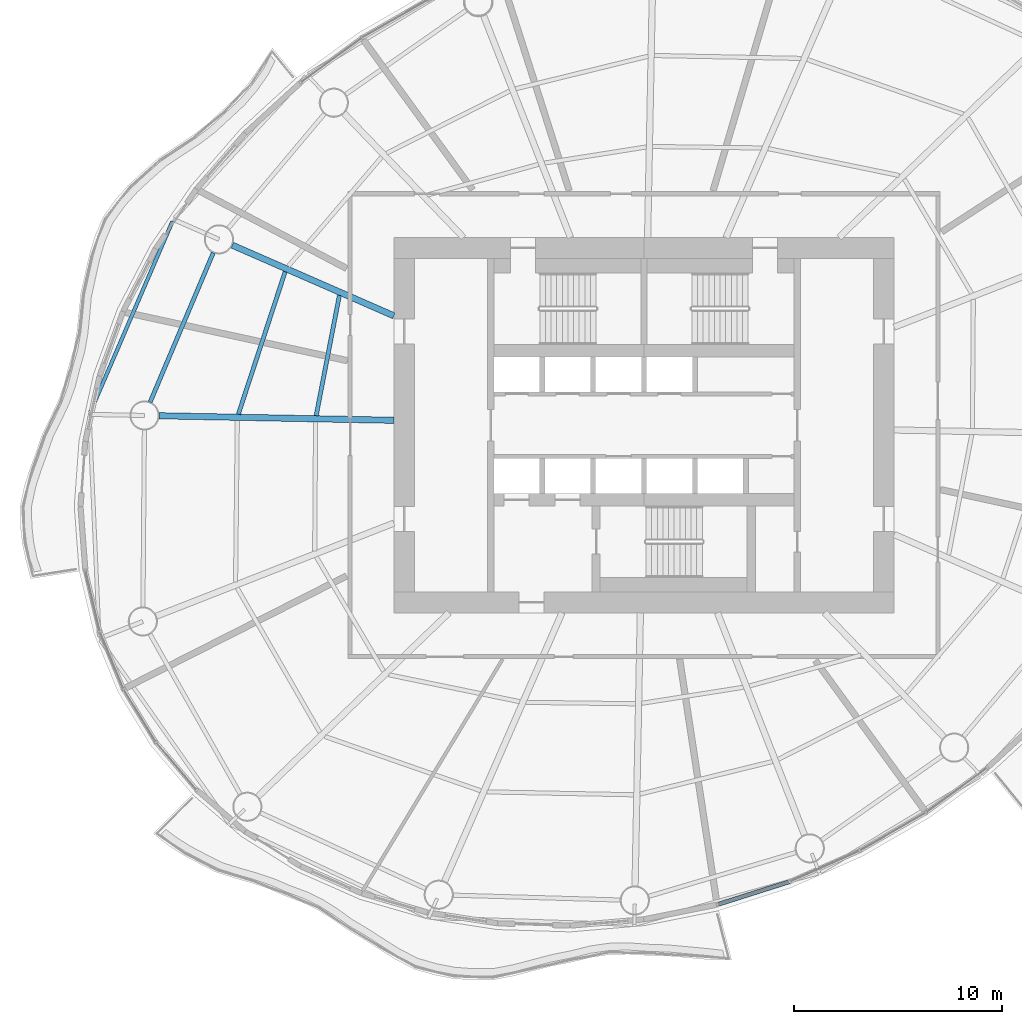
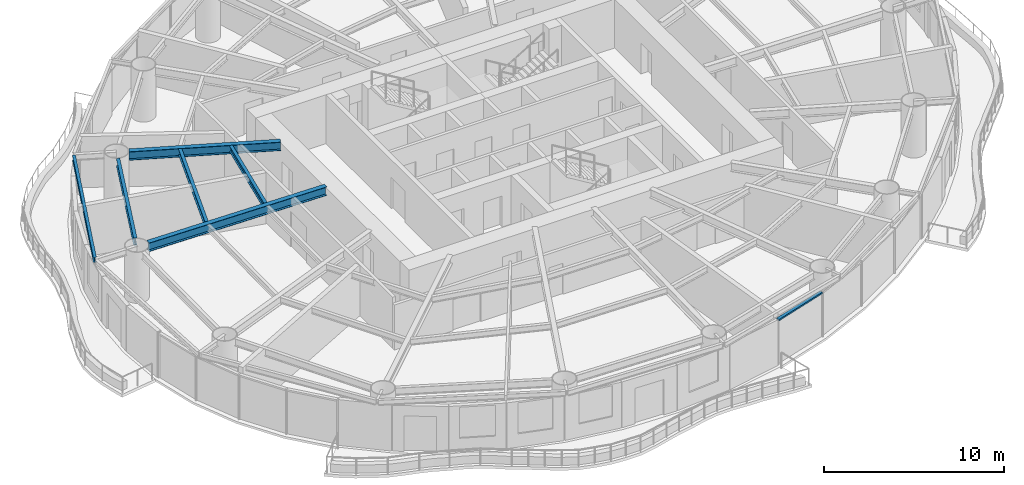
# One storey, part 3 of 14: 6 beams, 1 member, 1 element without a shape of its own.
"""IFC4 building model written with IfcOpenShell, lengths in metres."""

from ifc_helpers import new_model, si_unit, direction, frame, origin, origin_2d, place, context, subcontext, project, spatial, rectangle, i_section, extrude, material, material_profile, profile_set, type_object, element, aggregate, save


model = new_model("IFC4")

# Units and contexts
model_context = context("Model", 3, precision=1e-05, world=origin(), true_north=direction((0.0, 1.0)))
body_context = subcontext(model_context, "Body", "Model", "MODEL_VIEW")
ifc_project = project(units=[si_unit("LENGTHUNIT", "METRE"), si_unit("AREAUNIT", "SQUARE_METRE"), si_unit("VOLUMEUNIT", "CUBIC_METRE"), si_unit("PLANEANGLEUNIT", "RADIAN"), si_unit("MASSUNIT", "GRAM", prefix="KILO")], contexts=[model_context])

# Site, building, storey
site_placement = place(None, origin())
site = spatial("IfcSite", under=ifc_project, at=site_placement, CompositionType="ELEMENT")
building_placement = place(site_placement, origin())
building = spatial("IfcBuilding", under=site, at=building_placement, Name="Vermilion Reach Broadcast Tower", CompositionType="ELEMENT")
storey_placement = place(building_placement, frame((0.0, 0.0, 143.39990234375)))
storey = spatial("IfcBuildingStorey", under=building, at=storey_placement, Name="L33", CompositionType="ELEMENT", Elevation=143.39990234375)

# Beams
ifc_material_1 = material(Name="Steel S355J2", Category="steel")
ifc_material_profile_1 = material_profile(ifc_material_1, i_section(OverallWidth=0.175048828125, OverallDepth=0.35009765625, WebThickness=0.007080078125, FlangeThickness=0.010986328125, at=origin_2d()), Name="S355J2 HN 350x175x7x11")
ifc_profile_set_1 = profile_set([ifc_material_profile_1], Name="Steel S355J2")
beam_type_1 = type_object("IfcBeamType", Name="EB3 HN 350x175x7x11", PredefinedType="BEAM", material=ifc_profile_set_1)
beam_1_placement = place(storey_placement, frame((-28.616943359375, 9.776611328125, 3.275146484375), z_axis=(-0.395428238407, -0.918496874393, 0.0), x_axis=(0.918496874393, -0.395428238407, 0.0)))
element("IfcBeam", 1, at=beam_1_placement, inside=storey, type_object=beam_type_1, Name="Edge beam EB3-06", PredefinedType="BEAM", context=body_context, shape_type="SweptSolid", body=[
    extrude(i_section(OverallWidth=0.175048828125, OverallDepth=0.35009765625, WebThickness=0.007080078125, FlangeThickness=0.010986328125, at=origin_2d()), origin(), (0.0, 0.0, 1.0), 9.974853515625),
])
ifc_material_2 = material(Name="Steel S355J2", Category="steel")
ifc_material_profile_2 = material_profile(ifc_material_2, i_section(OverallWidth=0.300048828125, OverallDepth=0.587890625, WebThickness=0.011962890625, FlangeThickness=0.02001953125, at=origin_2d()), Name="S355J2 HM 588x300x12x20")
ifc_profile_set_2 = profile_set([ifc_material_profile_2], Name="Steel S355J2")
beam_type_2 = type_object("IfcBeamType", Name="G3 HM 588x300x12x20", PredefinedType="BEAM", material=ifc_profile_set_2)
beam_2_placement = place(storey_placement, frame((-18.0, 5.2451171875, 3.156005859375), z_axis=(-0.916287847036, 0.400520388213, 0.0), x_axis=(-0.400520388213, -0.916287847036, 0.0)))
element("IfcBeam", 2, at=beam_2_placement, inside=storey, type_object=beam_type_2, Name="Girder G3-06", PredefinedType="BEAM", context=body_context, shape_type="SweptSolid", body=[
    extrude(i_section(OverallWidth=0.300048828125, OverallDepth=0.587890625, WebThickness=0.011962890625, FlangeThickness=0.02001953125, at=origin_2d()), origin(), (0.0, 0.0, 1.0), 8.45458984375),
])
beam_3_placement = place(storey_placement, frame((-18.0, 0.232421875, 3.156005859375), z_axis=(-0.999812170888, 0.019380994401, 0.0), x_axis=(-0.019380994401, -0.999812170888, 0.0)))
element("IfcBeam", 3, at=beam_3_placement, inside=storey, type_object=beam_type_2, Name="Girder G3-07", PredefinedType="BEAM", context=body_context, shape_type="SweptSolid", body=[
    extrude(i_section(OverallWidth=0.300048828125, OverallDepth=0.587890625, WebThickness=0.011962890625, FlangeThickness=0.02001953125, at=origin_2d()), origin(), (0.0, 0.0, 1.0), 11.26171875),
])
ifc_material_3 = material(Name="Steel S355J2", Category="steel")
ifc_material_profile_3 = material_profile(ifc_material_3, i_section(OverallWidth=0.199951171875, OverallDepth=0.5, WebThickness=0.010009765625, FlangeThickness=0.01611328125, at=origin_2d()), Name="S355J2 HN 500x200x10x16")
ifc_profile_set_3 = profile_set([ifc_material_profile_3], Name="Steel S355J2")
beam_type_3 = type_object("IfcBeamType", Name="RB3 HN 500x200x10x16", PredefinedType="BEAM", material=ifc_profile_set_3)
beam_4_placement = place(storey_placement, frame((-26.660888671875, 8.266845703125, 3.2001953125), z_axis=(-0.389368386196, -0.921082113512, 0.0), x_axis=(0.921082113512, -0.389368386196, 0.0)))
element("IfcBeam", 4, at=beam_4_placement, inside=storey, type_object=beam_type_3, Name="Ring beam RB3-06", PredefinedType="BEAM", context=body_context, shape_type="SweptSolid", body=[
    extrude(i_section(OverallWidth=0.199951171875, OverallDepth=0.5, WebThickness=0.010009765625, FlangeThickness=0.01611328125, at=origin_2d()), origin(), (0.0, 0.0, 1.0), 7.771240234375),
])
ifc_material_4 = material(Name="Steel S355J2", Category="steel")
ifc_material_profile_4 = material_profile(ifc_material_4, i_section(OverallWidth=0.199951171875, OverallDepth=0.39990234375, WebThickness=0.008056640625, FlangeThickness=0.012939453125, at=origin_2d()), Name="S355J2 HN 400x200x8x13")
ifc_profile_set_4 = profile_set([ifc_material_profile_4], Name="Steel S355J2")
beam_type_4 = type_object("IfcBeamType", Name="SB3 HN 400x200x8x13", PredefinedType="BEAM", material=ifc_profile_set_4)
beam_5_placement = place(storey_placement, frame((-20.611328125, 6.222900390625, 3.25), z_axis=(-0.189462365782, -0.981887983404, 0.0), x_axis=(0.981887983404, -0.189462365782, 0.0)))
element("IfcBeam", 5, at=beam_5_placement, inside=storey, type_object=beam_type_4, Name="Secondary beam SB3-06-1", PredefinedType="BEAM", context=body_context, shape_type="SweptSolid", body=[
    extrude(i_section(OverallWidth=0.199951171875, OverallDepth=0.39990234375, WebThickness=0.008056640625, FlangeThickness=0.012939453125, at=origin_2d()), origin(), (0.0, 0.0, 1.0), 5.874755859375),
])
beam_6_placement = place(storey_placement, frame((-23.211669921875, 7.359375, 3.25), z_axis=(-0.312243016281, -0.950002262515, 0.0), x_axis=(0.950002262515, -0.312243016281, 0.0)))
element("IfcBeam", 6, at=beam_6_placement, inside=storey, type_object=beam_type_4, Name="Secondary beam SB3-06-2", PredefinedType="BEAM", context=body_context, shape_type="SweptSolid", body=[
    extrude(i_section(OverallWidth=0.199951171875, OverallDepth=0.39990234375, WebThickness=0.008056640625, FlangeThickness=0.012939453125, at=origin_2d()), origin(), (0.0, 0.0, 1.0), 7.19189453125),
])

# Curtain wall, member
ifc_material_5 = material(Name="Low-e laminated clear glass in aluminium frame", Category="aluminium")
curtain_wall_type = type_object("IfcCurtainWallType", Name="Slot curtain wall", PredefinedType="NOTDEFINED", material=ifc_material_5)
curtain_wall_placement = place(storey_placement, origin())
curtain_wall = element("IfcCurtainWall", 7, at=curtain_wall_placement, inside=storey, type_object=curtain_wall_type, Name="Slot curtain wall L33 34", PredefinedType="NOTDEFINED")
ifc_material_6 = material(Name="Anodised aluminium", Category="aluminium")
ifc_material_profile_5 = material_profile(ifc_material_6, rectangle(XDim=0.199951171875, YDim=0.10009765625, at=origin_2d()), Name="Slot transom 200 x 100")
ifc_profile_set_5 = profile_set([ifc_material_profile_5], Name="Anodised aluminium")
member_type = type_object("IfcMemberType", Name="Slot transom 200 x 100", PredefinedType="USERDEFINED", material=ifc_profile_set_5)
member_placement = place(storey_placement, frame((-2.443115234375, -22.985595703125, 3.0), z_axis=(0.953059675971, 0.302782519372, 0.0), x_axis=(-0.302782519372, 0.953059675971, 0.0)))
member = element("IfcMember", 8, at=member_placement, type_object=member_type, Name="Slot transom L33 34.1", ObjectType="TRANSOM", PredefinedType="USERDEFINED", context=body_context, shape_type="SweptSolid", body=[
    extrude(rectangle(XDim=0.199951171875, YDim=0.10009765625, at=origin_2d()), origin(), (0.0, 0.0, 1.0), 3.565673828125),
])
aggregate(curtain_wall, [member])

save(model, "model.ifc")
